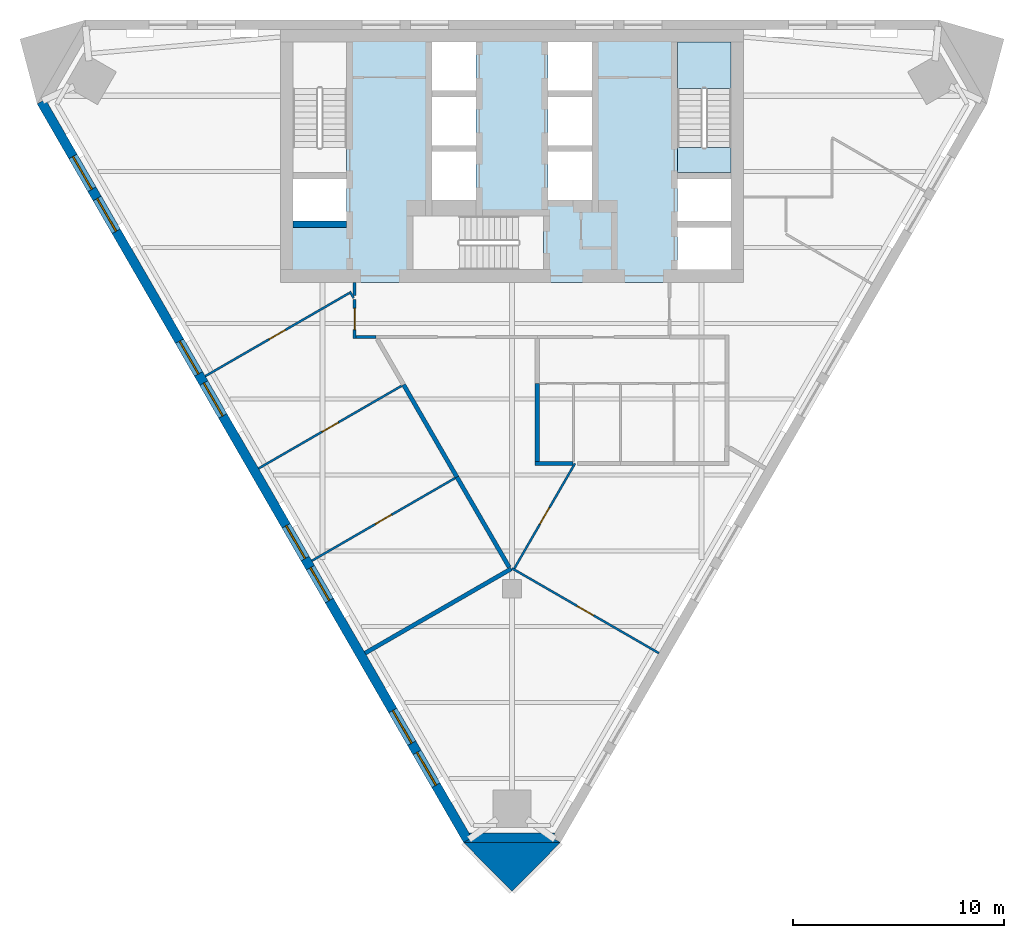
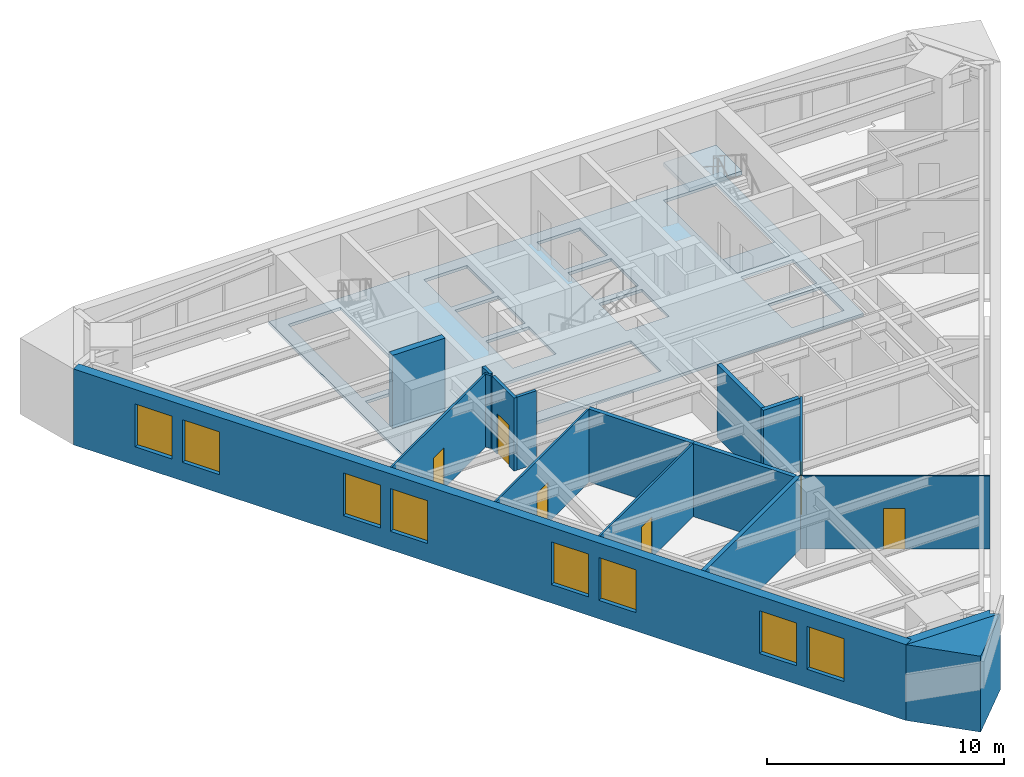
# One storey, part 2 of 7: 18 walls, 8 windows, 6 doors, 3 slabs, 14 openings, 1 element without a shape of its own.
"""IFC4 building model written with IfcOpenShell, lengths in metres."""

import ifcopenshell
import ifcopenshell.guid

model = None  # the IFC model being written
_history = None  # IfcOwnerHistory: only IFC2X3 demands one
_inside = {}  # id of a spatial element -> (the spatial element, [elements in it])
_under = {}  # id of a project, library or spatial element -> (it, [spatial elements below it])
_declared = {}  # id of a project -> (the project, [libraries it declares])
_typed = {}  # id of a type object -> (the type object, [elements of that type])
_made_of = {}  # id of a material, layer set ... -> (it, [elements and type objects made of it])


def new_model(schema):
    """Start an empty IFC model of exactly this schema.

    Asked for "IFC4X3", IfcOpenShell would pick the latest addendum, in which some entities
    have other attributes; the version numbers below select the first issue.
    IFC2X3 requires an IfcOwnerHistory on every rooted entity: one is made here for all.
    """
    global model, _history
    if schema == "IFC4X3":
        model = ifcopenshell.file(schema_version=(4, 3, 0, 0))
    else:
        model = ifcopenshell.file(schema=schema)
    _inside.clear()
    _under.clear()
    _declared.clear()
    _typed.clear()
    _made_of.clear()
    _history = None
    if model.schema == "IFC2X3":
        org = make("IfcOrganization", Name="unknown")
        user = make(
            "IfcPersonAndOrganization",
            ThePerson=make("IfcPerson", FamilyName="unknown"),
            TheOrganization=org,
        )
        app = make(
            "IfcApplication",
            ApplicationDeveloper=org,
            Version="unknown",
            ApplicationFullName="unknown",
            ApplicationIdentifier="unknown",
        )
        _history = make(
            "IfcOwnerHistory",
            OwningUser=user,
            OwningApplication=app,
            ChangeAction="ADDED",
            CreationDate=0,
        )
    return model


def make(cls, **values):
    """One entity of the class cls with the attributes given. An attribute that is None is left unset."""
    return model.create_entity(
        cls, **{name: value for name, value in values.items() if value is not None}
    )


def rooted(cls, **values):
    """An entity with a GlobalId (a new one), such as an element, a storey or a relation."""
    return make(cls, GlobalId=ifcopenshell.guid.new(), OwnerHistory=_history, **values)


def si_unit(unit_type, name, prefix=None):
    """IfcSIUnit, for example si_unit("LENGTHUNIT", "METRE", prefix="MILLI")."""
    return make("IfcSIUnit", UnitType=unit_type, Prefix=prefix, Name=name)


def assignment(units):
    """IfcUnitAssignment: the units of a project."""
    return None if units is None else make("IfcUnitAssignment", Units=units)


def point(xyz):
    """IfcCartesianPoint."""
    return None if xyz is None else make("IfcCartesianPoint", Coordinates=xyz)


def direction(xyz):
    """IfcDirection."""
    return None if xyz is None else make("IfcDirection", DirectionRatios=xyz)


def frame(location, z_axis=None, x_axis=None):
    """IfcAxis2Placement3D, a coordinate frame: its origin and axes. An axis left out is left unset."""
    return make(
        "IfcAxis2Placement3D",
        Location=point(location),
        Axis=direction(z_axis),
        RefDirection=direction(x_axis),
    )


def frame_2d(location, x_axis=None):
    """IfcAxis2Placement2D, a coordinate frame in the plane: its origin and x axis."""
    return make(
        "IfcAxis2Placement2D", Location=point(location), RefDirection=direction(x_axis)
    )


def origin():
    """The frame at (0, 0, 0) with its axes left unset."""
    return frame((0.0, 0.0, 0.0))


def place(relative_to, where):
    """IfcLocalPlacement: puts the frame where relative to a parent placement (None: the world)."""
    return make(
        "IfcLocalPlacement", PlacementRelTo=relative_to, RelativePlacement=where
    )


def context(
    kind, dimensions, precision=None, world=None, true_north=None, identifier=None
):
    """IfcGeometricRepresentationContext, for example the 3D "Model" context."""
    return make(
        "IfcGeometricRepresentationContext",
        ContextIdentifier=identifier,
        ContextType=kind,
        CoordinateSpaceDimension=dimensions,
        Precision=precision,
        WorldCoordinateSystem=world,
        TrueNorth=true_north,
    )


def subcontext(parent, identifier, kind, view, scale=None):
    """IfcGeometricRepresentationSubContext, for example "Body" below "Model"."""
    return make(
        "IfcGeometricRepresentationSubContext",
        ContextIdentifier=identifier,
        ContextType=kind,
        ParentContext=parent,
        TargetScale=scale,
        TargetView=view,
    )


def project(units=None, contexts=None):
    """IfcProject with its units and contexts."""
    return rooted(
        "IfcProject",
        Name="project",
        RepresentationContexts=contexts,
        UnitsInContext=assignment(units),
    )


def spatial(cls, under=None, at=None, **own):
    """A site, building, storey or space (cls), placed at a placement, below another one or the project."""
    s = rooted(cls, ObjectPlacement=at, **own)
    if under is not None:
        _under.setdefault(under.id(), (under, []))[1].append(s)
    return s


def polyline(points):
    """IfcPolyline through the points."""
    return make("IfcPolyline", Points=[point(p) for p in points])


def profile(cls, at=None, kind="AREA", **sizes):
    """A parametric profile (cls). Its sizes go by their IFC names, for example OverallWidth=200.0."""
    return make(cls, ProfileType=kind, Position=at, **sizes)


def rectangle(**sizes):
    """IfcRectangleProfileDef."""
    return profile("IfcRectangleProfileDef", **sizes)


def outline(outer, holes=None, kind="AREA"):
    """IfcArbitraryClosedProfileDef: a profile drawn as a closed curve; with holes, ...WithVoids."""
    if holes is None:
        return make("IfcArbitraryClosedProfileDef", ProfileType=kind, OuterCurve=outer)
    return make(
        "IfcArbitraryProfileDefWithVoids",
        ProfileType=kind,
        OuterCurve=outer,
        InnerCurves=holes,
    )


def extrude(swept, where, along, depth):
    """IfcExtrudedAreaSolid: the profile swept, set in the frame where, extruded along a direction by depth."""
    return make(
        "IfcExtrudedAreaSolid",
        SweptArea=swept,
        Position=where,
        ExtrudedDirection=direction(along),
        Depth=depth,
    )


def shape(context_of_items, identifier, shape_type, items):
    """IfcShapeRepresentation: the items that make up one representation, for example the "Body"."""
    return make(
        "IfcShapeRepresentation",
        ContextOfItems=context_of_items,
        RepresentationIdentifier=identifier,
        RepresentationType=shape_type,
        Items=items,
    )


def material(Name=None, Category=None):
    """IfcMaterial."""
    return make("IfcMaterial", Name=Name, Category=Category)


def layer(
    of_material, thickness, ventilated=None, Name=None, Category=None, Priority=None
):
    """IfcMaterialLayer: one layer of a wall or slab, of a material (None: an air gap)."""
    return make(
        "IfcMaterialLayer",
        Material=of_material,
        LayerThickness=thickness,
        IsVentilated=ventilated,
        Name=Name,
        Category=Category,
        Priority=Priority,
    )


def layer_set(layers, Name=None):
    """IfcMaterialLayerSet."""
    return make("IfcMaterialLayerSet", MaterialLayers=layers, LayerSetName=Name)


def made_of(thing, what):
    """Note that an element or type object is made of a material, layer set ...; save() writes the relation."""
    if what is not None:
        _made_of.setdefault(what.id(), (what, []))[1].append(thing)
    return thing


def type_object(cls, material=None, **own):
    """A type object (cls), such as IfcWallType, which elements share."""
    return made_of(rooted(cls, **own), material)


def element(
    cls,
    number,
    at=None,
    inside=None,
    cuts=None,
    type_object=None,
    material=None,
    context=None,
    identifier="Body",
    shape_type=None,
    held_by="IfcProductDefinitionShape",
    body=None,
    shapes=None,
    **own,
):
    """One element of the class cls, such as IfcWall. Its Tag is "e" and its number.

    at: its placement. inside: the storey or other place that contains it. cuts: it is an
    opening in that element (IfcRelVoidsElement). A single representation is given by context,
    identifier, shape_type and body (its items); several are given by shapes. held_by: the class
    of the entity that holds the representations. save() writes the other relations.
    """
    e = rooted(cls, Tag="e%d" % number, ObjectPlacement=at, **own)
    if body is not None:
        shapes = [shape(context, identifier, shape_type, body)]
    if shapes is not None:
        e.Representation = make(held_by, Representations=shapes)
    if inside is not None:
        _inside.setdefault(inside.id(), (inside, []))[1].append(e)
    if cuts is not None:
        rooted(
            "IfcRelVoidsElement", RelatingBuildingElement=cuts, RelatedOpeningElement=e
        )
    if type_object is not None:
        _typed.setdefault(type_object.id(), (type_object, []))[1].append(e)
    return made_of(e, material)


def fill(opening, filler):
    """IfcRelFillsElement: the door or window that sits in an opening."""
    return rooted(
        "IfcRelFillsElement",
        RelatingOpeningElement=opening,
        RelatedBuildingElement=filler,
    )


def aggregate(whole, parts):
    """IfcRelAggregates: a whole, such as a stair, and the parts it consists of."""
    return rooted("IfcRelAggregates", RelatingObject=whole, RelatedObjects=parts)


def save(model, path):
    """Write the relations noted so far, then the file.

    IfcRelAggregates (storeys below a building ...), IfcRelContainedInSpatialStructure (elements
    in a storey), IfcRelDefinesByType, IfcRelAssociatesMaterial and IfcRelDeclares: one each for
    every whole, place, type object, material and project.
    """
    for whole, parts in _under.values():
        aggregate(whole, parts)
    for where, things in _inside.values():
        rooted(
            "IfcRelContainedInSpatialStructure",
            RelatedElements=things,
            RelatingStructure=where,
        )
    for kind, things in _typed.values():
        rooted("IfcRelDefinesByType", RelatedObjects=things, RelatingType=kind)
    for what, things in _made_of.values():
        rooted("IfcRelAssociatesMaterial", RelatedObjects=things, RelatingMaterial=what)
    for by, libraries in _declared.values():
        rooted("IfcRelDeclares", RelatingContext=by, RelatedDefinitions=libraries)
    model.write(path)


model = new_model("IFC4")

# Units and contexts
model_context = context("Model", 3, precision=1e-05, world=origin(), true_north=direction((0.0, 1.0)))
body_context = subcontext(model_context, "Body", "Model", "MODEL_VIEW")
ifc_project = project(units=[si_unit("LENGTHUNIT", "METRE"), si_unit("AREAUNIT", "SQUARE_METRE"), si_unit("VOLUMEUNIT", "CUBIC_METRE"), si_unit("PLANEANGLEUNIT", "RADIAN"), si_unit("MASSUNIT", "GRAM", prefix="KILO")], contexts=[model_context])

# Site, building, storey
site_placement = place(None, origin())
site = spatial("IfcSite", under=ifc_project, at=site_placement, CompositionType="ELEMENT")
building_placement = place(site_placement, origin())
building = spatial("IfcBuilding", under=site, at=building_placement, Name="Aloe Facet Convention Tower", CompositionType="ELEMENT")
storey_placement = place(building_placement, frame((0.0, 0.0, 155.89990234375)))
storey = spatial("IfcBuildingStorey", under=building, at=storey_placement, Name="L39", CompositionType="ELEMENT", Elevation=155.89990234375)

# Slabs
ifc_material_1 = material(Name="Concrete C60/75", Category="concrete")
ifc_layer_1 = layer(ifc_material_1, 0.14990234375)
ifc_layer_set_1 = layer_set([ifc_layer_1], Name="CR-S-FLOOR150-C6075")
slab_type_1 = type_object("IfcSlabType", Name="CR-S-FLOOR150-C6075", PredefinedType="FLOOR", material=ifc_layer_set_1)
slab_1_placement = place(storey_placement, frame((0.0, 0.0, -0.14990234375)))
element("IfcSlab", 1, at=slab_1_placement, inside=storey, type_object=slab_type_1, Name="Core floor L39", PredefinedType="FLOOR", context=body_context, shape_type="SweptSolid", body=[
    extrude(outline(polyline([(71.85009765625, 134.550048828125), (72.75, 134.550048828125), (75.60009765625, 134.550048828125), (76.5, 134.550048828125), (78.0, 134.550048828125), (78.89990234375, 134.550048828125), (81.10009765625, 134.550048828125), (82.0, 134.550048828125), (83.5, 134.550048828125), (84.39990234375, 134.550048828125), (87.25, 134.550048828125), (88.14990234375, 134.550048828125), (91.0, 134.550048828125), (91.0, 128.050048828125), (91.0, 127.14990234375), (91.0, 125.75), (91.0, 124.85009765625), (91.0, 122.550048828125), (88.14990234375, 122.550048828125), (87.25, 122.550048828125), (85.300048828125, 122.550048828125), (84.39990234375, 122.550048828125), (82.10009765625, 122.550048828125), (81.199951171875, 122.550048828125), (75.60009765625, 122.550048828125), (74.699951171875, 122.550048828125), (72.75, 122.550048828125), (71.85009765625, 122.550048828125), (69.0, 122.550048828125), (69.0, 124.85009765625), (69.0, 125.75), (69.0, 127.14990234375), (69.0, 128.050048828125), (69.0, 134.550048828125), (71.85009765625, 134.550048828125)]), holes=[polyline([(80.298828125, 123.14990234375), (81.5, 123.14990234375), (81.5, 125.699951171875), (80.298828125, 125.699951171875), (75.300048828125, 125.699951171875), (75.300048828125, 123.14990234375), (80.298828125, 123.14990234375)]), polyline([(69.60009765625, 125.449951171875), (72.14990234375, 125.449951171875), (72.14990234375, 127.449951171875), (69.60009765625, 127.449951171875), (69.60009765625, 125.449951171875)]), polyline([(76.199951171875, 126.449951171875), (78.300048828125, 126.449951171875), (78.300048828125, 128.75), (76.199951171875, 128.75), (76.199951171875, 126.449951171875)]), polyline([(78.300048828125, 129.050048828125), (78.300048828125, 131.35009765625), (76.199951171875, 131.35009765625), (76.199951171875, 129.050048828125), (78.300048828125, 129.050048828125)]), polyline([(69.60009765625, 133.949951171875), (69.60009765625, 128.951171875), (69.60009765625, 127.75), (72.14990234375, 127.75), (72.14990234375, 128.951171875), (72.14990234375, 133.949951171875), (69.60009765625, 133.949951171875)]), polyline([(76.199951171875, 131.64990234375), (78.300048828125, 131.64990234375), (78.300048828125, 133.949951171875), (76.199951171875, 133.949951171875), (76.199951171875, 131.64990234375)]), polyline([(90.39990234375, 123.14990234375), (90.39990234375, 125.14990234375), (87.85009765625, 125.14990234375), (87.85009765625, 123.14990234375), (90.39990234375, 123.14990234375)]), polyline([(87.85009765625, 125.449951171875), (90.39990234375, 125.449951171875), (90.39990234375, 127.449951171875), (87.85009765625, 127.449951171875), (87.85009765625, 125.449951171875)]), polyline([(81.699951171875, 126.449951171875), (83.800048828125, 126.449951171875), (83.800048828125, 128.75), (81.699951171875, 128.75), (81.699951171875, 126.449951171875)]), polyline([(83.800048828125, 129.050048828125), (83.800048828125, 131.35009765625), (81.699951171875, 131.35009765625), (81.699951171875, 129.050048828125), (83.800048828125, 129.050048828125)]), polyline([(87.85009765625, 133.949951171875), (87.85009765625, 128.951171875), (87.85009765625, 127.75), (90.39990234375, 127.75), (90.39990234375, 128.951171875), (90.39990234375, 133.949951171875), (87.85009765625, 133.949951171875)]), polyline([(81.699951171875, 131.64990234375), (83.800048828125, 131.64990234375), (83.800048828125, 133.949951171875), (81.699951171875, 133.949951171875), (81.699951171875, 131.64990234375)])]), origin(), (0.0, 0.0, 1.0), 0.14990234375),
])
ifc_material_2 = material(Name="Concrete C60/75", Category="concrete")
ifc_layer_2 = layer(ifc_material_2, 0.300048828125)
ifc_layer_set_2 = layer_set([ifc_layer_2], Name="CR-S-FLOOR300-C6075")
slab_type_2 = type_object("IfcSlabType", Name="CR-S-FLOOR300-C6075", PredefinedType="FLOOR", material=ifc_layer_set_2)
slab_2_placement = place(storey_placement, frame((0.0, 0.0, -0.2998046875)))
element("IfcSlab", 2, at=slab_2_placement, inside=storey, type_object=slab_type_2, Name="Stair landing floor L39", PredefinedType="FLOOR", context=body_context, shape_type="SweptSolid", body=[
    extrude(outline(polyline([(90.39990234375, 127.75), (90.39990234375, 128.951171875), (87.85009765625, 128.951171875), (87.85009765625, 127.75), (90.39990234375, 127.75)])), origin(), (0.0, 0.0, 1.0), 0.2998046875),
])

# Stair, slab
ifc_material_3 = material(Name="Concrete C50/60", Category="concrete")
stair_type = type_object("IfcStairType", Name="CR-ST-22R", PredefinedType="HALF_TURN_STAIR", material=ifc_material_3)
stair_placement = place(storey_placement, origin())
stair = element("IfcStair", 3, at=stair_placement, inside=storey, type_object=stair_type, Name="L39 Protected exit stair ST2", PredefinedType="HALF_TURN_STAIR")
ifc_material_4 = material(Name="Concrete C50/60", Category="concrete")
ifc_layer_3 = layer(ifc_material_4, 0.199951171875)
ifc_layer_set_3 = layer_set([ifc_layer_3], Name="CR-SL-LANDING")
slab_type_3 = type_object("IfcSlabType", Name="CR-SL-LANDING", PredefinedType="LANDING", material=ifc_layer_set_3)
slab_3_placement = place(storey_placement, frame((0.0, 0.0, 1.75)))
slab_3 = element("IfcSlab", 4, at=slab_3_placement, type_object=slab_type_3, Name="ST2 landing 1", PredefinedType="LANDING", context=body_context, shape_type="SweptSolid", body=[
    extrude(outline(polyline([(90.39990234375, 131.75), (90.39990234375, 133.949951171875), (87.85009765625, 133.949951171875), (87.85009765625, 131.75), (90.39990234375, 131.75)])), origin(), (0.0, 0.0, 1.0), 0.2001953125),
])
aggregate(stair, [slab_3])

# Walls
ifc_material_5 = material(Name="Concrete C60/75", Category="concrete")
ifc_layer_4 = layer(ifc_material_5, 0.300048828125)
ifc_layer_set_4 = layer_set([ifc_layer_4], Name="CR-W-RC300-C6075")
wall_type_1 = type_object("IfcWallType", Name="CR-W-RC300-C6075", PredefinedType="SOLIDWALL", material=ifc_layer_set_4)
wall_1_placement = place(storey_placement, frame((69.60009765625, 125.300048828125, 0.0), z_axis=(0.0, 0.0, 1.0), x_axis=(1.0, 0.0, 0.0)))
element("IfcWall", 5, at=wall_1_placement, inside=storey, type_object=wall_type_1, Name="Core wall L39-005", PredefinedType="SOLIDWALL", context=body_context, shape_type="SweptSolid", body=[
    extrude(rectangle(XDim=2.5498046875, YDim=0.300048828125, at=frame_2d((1.27490234375, 0.0))), origin(), (0.0, 0.0, 1.0), 3.75),
])
ifc_material_6 = material(Name="Precast concrete C40/50", Category="concrete")
ifc_layer_5 = layer(ifc_material_6, 0.449951171875)
ifc_layer_set_5 = layer_set([ifc_layer_5], Name="EV-WALL-PIER")
wall_type_2 = type_object("IfcWallType", Name="EV-WALL-PIER", PredefinedType="SOLIDWALL", material=ifc_layer_set_5)
wall_2_placement = place(storey_placement, frame((0.0, 0.0, -0.14990234375)))
element("IfcWall", 6, at=wall_2_placement, inside=storey, type_object=wall_type_2, Name="EP-L39-B", PredefinedType="SOLIDWALL", context=body_context, shape_type="SweptSolid", body=[
    extrude(outline(polyline([(77.699951171875, 95.954345703125), (78.089599609375, 96.17919921875), (77.959716796875, 96.404296875), (82.040283203125, 96.404296875), (81.910400390625, 96.17919921875), (82.300048828125, 95.954345703125), (77.699951171875, 95.954345703125)])), origin(), (0.0, 0.0, 1.0), 3.89990234375),
])
ifc_material_7 = material(Name="Precast concrete C40/50", Category="concrete")
ifc_layer_6 = layer(ifc_material_7, 3.947998046875)
ifc_layer_set_6 = layer_set([ifc_layer_6], Name="EV-WALL-SPINE")
wall_type_3 = type_object("IfcWallType", Name="EV-WALL-SPINE", PredefinedType="SOLIDWALL", material=ifc_layer_set_6)
wall_3_placement = place(storey_placement, frame((0.0, 0.0, -0.14990234375)))
element("IfcWall", 7, at=wall_3_placement, inside=storey, type_object=wall_type_3, Name="SP-S-L39", PredefinedType="SOLIDWALL", context=body_context, shape_type="SweptSolid", body=[
    extrude(outline(polyline([(77.699951171875, 95.954345703125), (80.0, 93.641357421875), (82.300048828125, 95.954345703125), (77.699951171875, 95.954345703125)])), origin(), (0.0, 0.0, 1.0), 3.89990234375),
])

# Wall, openings, windows
ifc_material_8 = material(Name="Precast concrete C40/50", Category="concrete")
ifc_layer_7 = layer(ifc_material_8, 0.449951171875)
ifc_layer_set_7 = layer_set([ifc_layer_7], Name="EV-WALL-STONE")
wall_type_4 = type_object("IfcWallType", Name="EV-WALL-STONE", PredefinedType="SOLIDWALL", material=ifc_layer_set_7)
wall_4_placement = place(storey_placement, frame((57.65185546875, 131.128662109375, -0.14990234375), z_axis=(0.0, 0.0, 1.0), x_axis=(0.499997369791, -0.866026922331, 0.0)))
wall_4 = element("IfcWall", 8, at=wall_4_placement, inside=storey, type_object=wall_type_4, Name="EW-L39-W01", PredefinedType="SOLIDWALL", context=body_context, shape_type="SweptSolid", body=[
    extrude(outline(polyline([(40.486083984375, 0.0), (40.486083984375, 3.89990234375), (0.0, 3.89990234375), (0.0, 0.0), (40.486083984375, 0.0)])), frame((0.0, 0.22509765625, 0.0), z_axis=(0.0, -1.0, 0.0), x_axis=(1.0, 0.0, 0.0)), (0.0, 0.0, 1.0), 0.449951171875),
])
opening_1_placement = place(wall_4_placement, frame((3.0107421875, 0.0, 0.949951171875)))
opening_1 = element("IfcOpeningElement", 9, at=opening_1_placement, cuts=wall_4, Name="Opening W-L39-W01", PredefinedType="OPENING", context=body_context, shape_type="SweptSolid", body=[
    extrude(rectangle(XDim=1.800048828125, YDim=2.199951171875, at=frame_2d((0.89990234375, 1.10009765625))), frame((0.0, 0.23486328125, 0.0), z_axis=(0.0, -1.0, 0.0), x_axis=(1.0, 0.0, 0.0)), (0.0, 0.0, 1.0), 0.469970703125),
])
opening_2_placement = place(wall_4_placement, frame((5.310791015625, 0.0, 0.949951171875)))
opening_2 = element("IfcOpeningElement", 10, at=opening_2_placement, cuts=wall_4, Name="Opening W-L39-W02", PredefinedType="OPENING", context=body_context, shape_type="SweptSolid", body=[
    extrude(rectangle(XDim=1.800048828125, YDim=2.199951171875, at=frame_2d((0.89990234375, 1.10009765625))), frame((0.0, 0.23486328125, 0.0), z_axis=(0.0, -1.0, 0.0), x_axis=(1.0, 0.0, 0.0)), (0.0, 0.0, 1.0), 0.469970703125),
])
opening_3_placement = place(wall_4_placement, frame((13.13232421875, 0.0, 0.949951171875)))
opening_3 = element("IfcOpeningElement", 11, at=opening_3_placement, cuts=wall_4, Name="Opening W-L39-W03", PredefinedType="OPENING", context=body_context, shape_type="SweptSolid", body=[
    extrude(rectangle(XDim=1.800048828125, YDim=2.199951171875, at=frame_2d((0.89990234375, 1.10009765625))), frame((0.0, 0.23486328125, 0.0), z_axis=(0.0, -1.0, 0.0), x_axis=(1.0, 0.0, 0.0)), (0.0, 0.0, 1.0), 0.469970703125),
])
opening_4_placement = place(wall_4_placement, frame((15.432373046875, 0.0, 0.949951171875)))
opening_4 = element("IfcOpeningElement", 12, at=opening_4_placement, cuts=wall_4, Name="Opening W-L39-W04", PredefinedType="OPENING", context=body_context, shape_type="SweptSolid", body=[
    extrude(rectangle(XDim=1.800048828125, YDim=2.199951171875, at=frame_2d((0.89990234375, 1.10009765625))), frame((0.0, 0.23486328125, 0.0), z_axis=(0.0, -1.0, 0.0), x_axis=(1.0, 0.0, 0.0)), (0.0, 0.0, 1.0), 0.469970703125),
])
opening_5_placement = place(wall_4_placement, frame((23.25390625, 0.0, 0.949951171875)))
opening_5 = element("IfcOpeningElement", 13, at=opening_5_placement, cuts=wall_4, Name="Opening W-L39-W05", PredefinedType="OPENING", context=body_context, shape_type="SweptSolid", body=[
    extrude(rectangle(XDim=1.800048828125, YDim=2.199951171875, at=frame_2d((0.89990234375, 1.10009765625))), frame((0.0, 0.23486328125, 0.0), z_axis=(0.0, -1.0, 0.0), x_axis=(1.0, 0.0, 0.0)), (0.0, 0.0, 1.0), 0.469970703125),
])
opening_6_placement = place(wall_4_placement, frame((25.553955078125, 0.0, 0.949951171875)))
opening_6 = element("IfcOpeningElement", 14, at=opening_6_placement, cuts=wall_4, Name="Opening W-L39-W06", PredefinedType="OPENING", context=body_context, shape_type="SweptSolid", body=[
    extrude(rectangle(XDim=1.800048828125, YDim=2.199951171875, at=frame_2d((0.89990234375, 1.10009765625))), frame((0.0, 0.23486328125, 0.0), z_axis=(0.0, -1.0, 0.0), x_axis=(1.0, 0.0, 0.0)), (0.0, 0.0, 1.0), 0.469970703125),
])
opening_7_placement = place(wall_4_placement, frame((33.37548828125, 0.0, 0.949951171875)))
opening_7 = element("IfcOpeningElement", 15, at=opening_7_placement, cuts=wall_4, Name="Opening W-L39-W07", PredefinedType="OPENING", context=body_context, shape_type="SweptSolid", body=[
    extrude(rectangle(XDim=1.800048828125, YDim=2.199951171875, at=frame_2d((0.89990234375, 1.10009765625))), frame((0.0, 0.23486328125, 0.0), z_axis=(0.0, -1.0, 0.0), x_axis=(1.0, 0.0, 0.0)), (0.0, 0.0, 1.0), 0.469970703125),
])
opening_8_placement = place(wall_4_placement, frame((35.67529296875, 0.0, 0.949951171875)))
opening_8 = element("IfcOpeningElement", 16, at=opening_8_placement, cuts=wall_4, Name="Opening W-L39-W08", PredefinedType="OPENING", context=body_context, shape_type="SweptSolid", body=[
    extrude(rectangle(XDim=1.800048828125, YDim=2.199951171875, at=frame_2d((0.89990234375, 1.10009765625))), frame((0.0, 0.23486328125, 0.0), z_axis=(0.0, -1.0, 0.0), x_axis=(1.0, 0.0, 0.0)), (0.0, 0.0, 1.0), 0.469970703125),
])
ifc_material_9 = material(Name="Aluminium frame, clear double glazing", Category="aluminium")
window_type = type_object("IfcWindowType", Name="EV-WIN-O18", PartitioningType="SINGLE_PANEL", PredefinedType="WINDOW", material=ifc_material_9)
window_1_placement = place(opening_1_placement, origin())
window_1 = element("IfcWindow", 17, at=window_1_placement, inside=storey, type_object=window_type, Name="W-L39-W01", OverallHeight=2.199951171875, OverallWidth=1.800048828125, PartitioningType="SINGLE_PANEL", PredefinedType="WINDOW", context=body_context, shape_type="SweptSolid", body=[
    extrude(rectangle(XDim=1.800048828125, YDim=2.199951171875, at=frame_2d((0.89990234375, 1.10009765625))), frame((0.0, 0.030029296875, 0.0), z_axis=(0.0, -1.0, 0.0), x_axis=(1.0, 0.0, 0.0)), (0.0, 0.0, 1.0), 0.06005859375),
])
fill(opening_1, window_1)
window_2_placement = place(opening_2_placement, origin())
window_2 = element("IfcWindow", 18, at=window_2_placement, inside=storey, type_object=window_type, Name="W-L39-W02", OverallHeight=2.199951171875, OverallWidth=1.800048828125, PartitioningType="SINGLE_PANEL", PredefinedType="WINDOW", context=body_context, shape_type="SweptSolid", body=[
    extrude(rectangle(XDim=1.800048828125, YDim=2.199951171875, at=frame_2d((0.89990234375, 1.10009765625))), frame((0.0, 0.030029296875, 0.0), z_axis=(0.0, -1.0, 0.0), x_axis=(1.0, 0.0, 0.0)), (0.0, 0.0, 1.0), 0.06005859375),
])
fill(opening_2, window_2)
window_3_placement = place(opening_3_placement, origin())
window_3 = element("IfcWindow", 19, at=window_3_placement, inside=storey, type_object=window_type, Name="W-L39-W03", OverallHeight=2.199951171875, OverallWidth=1.800048828125, PartitioningType="SINGLE_PANEL", PredefinedType="WINDOW", context=body_context, shape_type="SweptSolid", body=[
    extrude(rectangle(XDim=1.800048828125, YDim=2.199951171875, at=frame_2d((0.89990234375, 1.10009765625))), frame((0.0, 0.030029296875, 0.0), z_axis=(0.0, -1.0, 0.0), x_axis=(1.0, 0.0, 0.0)), (0.0, 0.0, 1.0), 0.06005859375),
])
fill(opening_3, window_3)
window_4_placement = place(opening_4_placement, origin())
window_4 = element("IfcWindow", 20, at=window_4_placement, inside=storey, type_object=window_type, Name="W-L39-W04", OverallHeight=2.199951171875, OverallWidth=1.800048828125, PartitioningType="SINGLE_PANEL", PredefinedType="WINDOW", context=body_context, shape_type="SweptSolid", body=[
    extrude(rectangle(XDim=1.800048828125, YDim=2.199951171875, at=frame_2d((0.89990234375, 1.10009765625))), frame((0.0, 0.030029296875, 0.0), z_axis=(0.0, -1.0, 0.0), x_axis=(1.0, 0.0, 0.0)), (0.0, 0.0, 1.0), 0.06005859375),
])
fill(opening_4, window_4)
window_5_placement = place(opening_5_placement, origin())
window_5 = element("IfcWindow", 21, at=window_5_placement, inside=storey, type_object=window_type, Name="W-L39-W05", OverallHeight=2.199951171875, OverallWidth=1.800048828125, PartitioningType="SINGLE_PANEL", PredefinedType="WINDOW", context=body_context, shape_type="SweptSolid", body=[
    extrude(rectangle(XDim=1.800048828125, YDim=2.199951171875, at=frame_2d((0.89990234375, 1.10009765625))), frame((0.0, 0.030029296875, 0.0), z_axis=(0.0, -1.0, 0.0), x_axis=(1.0, 0.0, 0.0)), (0.0, 0.0, 1.0), 0.06005859375),
])
fill(opening_5, window_5)
window_6_placement = place(opening_6_placement, origin())
window_6 = element("IfcWindow", 22, at=window_6_placement, inside=storey, type_object=window_type, Name="W-L39-W06", OverallHeight=2.199951171875, OverallWidth=1.800048828125, PartitioningType="SINGLE_PANEL", PredefinedType="WINDOW", context=body_context, shape_type="SweptSolid", body=[
    extrude(rectangle(XDim=1.800048828125, YDim=2.199951171875, at=frame_2d((0.89990234375, 1.10009765625))), frame((0.0, 0.030029296875, 0.0), z_axis=(0.0, -1.0, 0.0), x_axis=(1.0, 0.0, 0.0)), (0.0, 0.0, 1.0), 0.06005859375),
])
fill(opening_6, window_6)
window_7_placement = place(opening_7_placement, origin())
window_7 = element("IfcWindow", 23, at=window_7_placement, inside=storey, type_object=window_type, Name="W-L39-W07", OverallHeight=2.199951171875, OverallWidth=1.800048828125, PartitioningType="SINGLE_PANEL", PredefinedType="WINDOW", context=body_context, shape_type="SweptSolid", body=[
    extrude(rectangle(XDim=1.800048828125, YDim=2.199951171875, at=frame_2d((0.89990234375, 1.10009765625))), frame((0.0, 0.030029296875, 0.0), z_axis=(0.0, -1.0, 0.0), x_axis=(1.0, 0.0, 0.0)), (0.0, 0.0, 1.0), 0.06005859375),
])
fill(opening_7, window_7)
window_8_placement = place(opening_8_placement, origin())
window_8 = element("IfcWindow", 24, at=window_8_placement, inside=storey, type_object=window_type, Name="W-L39-W08", OverallHeight=2.199951171875, OverallWidth=1.800048828125, PartitioningType="SINGLE_PANEL", PredefinedType="WINDOW", context=body_context, shape_type="SweptSolid", body=[
    extrude(rectangle(XDim=1.800048828125, YDim=2.199951171875, at=frame_2d((0.89990234375, 1.10009765625))), frame((0.0, 0.030029296875, 0.0), z_axis=(0.0, -1.0, 0.0), x_axis=(1.0, 0.0, 0.0)), (0.0, 0.0, 1.0), 0.06005859375),
])
fill(opening_8, window_8)

# Wall, opening, door
ifc_material_10 = material(Name="Gypsum board partition on steel studs", Category="steel")
ifc_layer_8 = layer(ifc_material_10, 0.14990234375)
ifc_layer_set_8 = layer_set([ifc_layer_8], Name="IN-W-CORR")
wall_type_5 = type_object("IfcWallType", Name="IN-W-CORR", PredefinedType="PARTITIONING", material=ifc_layer_set_8)
wall_5_placement = place(storey_placement, frame((72.52490234375, 119.875, 0.0), z_axis=(0.0, 0.0, 1.0), x_axis=(0.0, 1.0, 0.0)))
wall_5 = element("IfcWall", 25, at=wall_5_placement, inside=storey, type_object=wall_type_5, Name="Partition L39-W030", PredefinedType="PARTITIONING", context=body_context, shape_type="SweptSolid", body=[
    extrude(rectangle(XDim=1.862548828125, YDim=0.14990234375, at=frame_2d((0.93115234375, 0.0))), origin(), (0.0, 0.0, 1.0), 3.75),
])
opening_9_placement = place(wall_5_placement, frame((0.431396484375, 0.0, 0.0)))
opening_9 = element("IfcOpeningElement", 26, at=opening_9_placement, cuts=wall_5, Name="Opening L39-006", PredefinedType="OPENING", context=body_context, shape_type="SweptSolid", body=[
    extrude(rectangle(XDim=1.0, YDim=2.10009765625, at=frame_2d((0.5, 1.050048828125))), frame((0.0, 0.0849609375, 0.0), z_axis=(0.0, -1.0, 0.0), x_axis=(1.0, 0.0, 0.0)), (0.0, 0.0, 1.0), 0.169921875),
])
ifc_material_11 = material(Name="Timber door FD30S with vision panel", Category="wood")
door_type_1 = type_object("IfcDoorType", Name="IN-OFF-D-ENTRY", OperationType="SINGLE_SWING_LEFT", PredefinedType="DOOR", material=ifc_material_11)
door_1_placement = place(opening_9_placement, origin())
door_1 = element("IfcDoor", 27, at=door_1_placement, inside=storey, type_object=door_type_1, Name="Door L39-006", OperationType="SINGLE_SWING_LEFT", OverallHeight=2.10009765625, OverallWidth=1.0, PredefinedType="DOOR", context=body_context, shape_type="SweptSolid", body=[
    extrude(rectangle(XDim=1.0, YDim=2.10009765625, at=frame_2d((0.5, 1.050048828125))), frame((0.0, 0.02490234375, 0.0), z_axis=(0.0, -1.0, 0.0), x_axis=(1.0, 0.0, 0.0)), (0.0, 0.0, 1.0), 0.050048828125),
])
fill(opening_9, door_1)

# Walls
wall_6_placement = place(storey_placement, frame((72.60009765625, 119.949951171875, 0.0), z_axis=(0.0, 0.0, 1.0), x_axis=(1.0, 0.0, 0.0)))
element("IfcWall", 28, at=wall_6_placement, inside=storey, type_object=wall_type_5, Name="Partition L39-W032", PredefinedType="PARTITIONING", context=body_context, shape_type="SweptSolid", body=[
    extrude(rectangle(XDim=0.9453125, YDim=0.14990234375, at=frame_2d((0.47265625, 0.0))), origin(), (0.0, 0.0, 1.0), 3.75),
])
wall_7_placement = place(storey_placement, frame((72.52490234375, 121.927490234375, 0.0), z_axis=(0.0, 0.0, 1.0), x_axis=(0.0, 1.0, 0.0)))
element("IfcWall", 29, at=wall_7_placement, inside=storey, type_object=wall_type_5, Name="Partition L39-W039", PredefinedType="PARTITIONING", context=body_context, shape_type="SweptSolid", body=[
    extrude(rectangle(XDim=0.622314453125, YDim=0.14990234375, at=frame_2d((0.31103515625, 0.0))), origin(), (0.0, 0.0, 1.0), 3.75),
])

# Wall, opening, door
ifc_material_12 = material(Name="Gypsum board partition on steel studs", Category="steel")
ifc_layer_9 = layer(ifc_material_12, 0.10009765625)
ifc_layer_set_9 = layer_set([ifc_layer_9], Name="IN-W-PART")
wall_type_6 = type_object("IfcWallType", Name="IN-W-PART", PredefinedType="PARTITIONING", material=ifc_layer_set_9)
wall_8_placement = place(storey_placement, frame((80.0, 108.969482421875, 0.0), z_axis=(0.0, 0.0, 1.0), x_axis=(0.86602648383, -0.499998129301, 0.0)))
wall_8 = element("IfcWall", 30, at=wall_8_placement, inside=storey, type_object=wall_type_6, Name="Partition L39-W007", PredefinedType="PARTITIONING", context=body_context, shape_type="SweptSolid", body=[
    extrude(rectangle(XDim=8.04931640625, YDim=0.10009765625, at=frame_2d((4.024658203125, 0.0))), origin(), (0.0, 0.0, 1.0), 3.75),
])
opening_10_placement = place(wall_8_placement, frame((3.57470703125, 0.0, 0.0)))
opening_10 = element("IfcOpeningElement", 31, at=opening_10_placement, cuts=wall_8, Name="Opening L39-015", PredefinedType="OPENING", context=body_context, shape_type="SweptSolid", body=[
    extrude(rectangle(XDim=0.89990234375, YDim=2.10009765625, at=frame_2d((0.449951171875, 1.050048828125))), frame((0.0, 0.06005859375, 0.0), z_axis=(0.0, -1.0, 0.0), x_axis=(1.0, 0.0, 0.0)), (0.0, 0.0, 1.0), 0.1201171875),
])
ifc_material_13 = material(Name="Timber door", Category="wood")
door_type_2 = type_object("IfcDoorType", Name="IN-OFF-D-ROOM", OperationType="SINGLE_SWING_LEFT", PredefinedType="DOOR", material=ifc_material_13)
door_2_placement = place(opening_10_placement, origin())
door_2 = element("IfcDoor", 32, at=door_2_placement, inside=storey, type_object=door_type_2, Name="Door L39-015", OperationType="SINGLE_SWING_LEFT", OverallHeight=2.10009765625, OverallWidth=0.89990234375, PredefinedType="DOOR", context=body_context, shape_type="SweptSolid", body=[
    extrude(rectangle(XDim=0.89990234375, YDim=2.10009765625, at=frame_2d((0.449951171875, 1.050048828125))), frame((0.0, 0.02490234375, 0.0), z_axis=(0.0, -1.0, 0.0), x_axis=(1.0, 0.0, 0.0)), (0.0, 0.0, 1.0), 0.050048828125),
])
fill(opening_10, door_2)

wall_9_placement = place(storey_placement, frame((70.49853515625, 109.327392578125, 0.0), z_axis=(0.0, 0.0, 1.0), x_axis=(0.86602399778, 0.500002435262, 0.0)))
wall_9 = element("IfcWall", 33, at=wall_9_placement, inside=storey, type_object=wall_type_6, Name="Partition L39-W008", PredefinedType="PARTITIONING", context=body_context, shape_type="SweptSolid", body=[
    extrude(rectangle(XDim=7.85009765625, YDim=0.10009765625, at=frame_2d((3.925048828125, 0.0))), origin(), (0.0, 0.0, 1.0), 3.75),
])
opening_11_placement = place(wall_9_placement, frame((3.47509765625, 0.0, 0.0)))
opening_11 = element("IfcOpeningElement", 34, at=opening_11_placement, cuts=wall_9, Name="Opening L39-008", PredefinedType="OPENING", context=body_context, shape_type="SweptSolid", body=[
    extrude(rectangle(XDim=0.89990234375, YDim=2.10009765625, at=frame_2d((0.449951171875, 1.050048828125))), frame((0.0, 0.06005859375, 0.0), z_axis=(0.0, -1.0, 0.0), x_axis=(1.0, 0.0, 0.0)), (0.0, 0.0, 1.0), 0.1201171875),
])
door_3_placement = place(opening_11_placement, origin())
door_3 = element("IfcDoor", 35, at=door_3_placement, inside=storey, type_object=door_type_2, Name="Door L39-008", OperationType="SINGLE_SWING_LEFT", OverallHeight=2.10009765625, OverallWidth=0.89990234375, PredefinedType="DOOR", context=body_context, shape_type="SweptSolid", body=[
    extrude(rectangle(XDim=0.89990234375, YDim=2.10009765625, at=frame_2d((0.449951171875, 1.050048828125))), frame((0.0, 0.02490234375, 0.0), z_axis=(0.0, -1.0, 0.0), x_axis=(1.0, 0.0, 0.0)), (0.0, 0.0, 1.0), 0.050048828125),
])
fill(opening_11, door_3)

wall_10_placement = place(storey_placement, frame((67.96826171875, 113.710205078125, 0.0), z_axis=(0.0, 0.0, 1.0), x_axis=(0.866013415921, 0.500020763015, 0.0)))
wall_10 = element("IfcWall", 36, at=wall_10_placement, inside=storey, type_object=wall_type_6, Name="Partition L39-W010", PredefinedType="PARTITIONING", context=body_context, shape_type="SweptSolid", body=[
    extrude(rectangle(XDim=7.840087890625, YDim=0.10009765625, at=frame_2d((3.919921875, 0.0))), origin(), (0.0, 0.0, 1.0), 3.75),
])
opening_12_placement = place(wall_10_placement, frame((3.469970703125, 0.0, 0.0)))
opening_12 = element("IfcOpeningElement", 37, at=opening_12_placement, cuts=wall_10, Name="Opening L39-007", PredefinedType="OPENING", context=body_context, shape_type="SweptSolid", body=[
    extrude(rectangle(XDim=0.89990234375, YDim=2.10009765625, at=frame_2d((0.449951171875, 1.050048828125))), frame((0.0, 0.06005859375, 0.0), z_axis=(0.0, -1.0, 0.0), x_axis=(1.0, 0.0, 0.0)), (0.0, 0.0, 1.0), 0.1201171875),
])
door_4_placement = place(opening_12_placement, origin())
door_4 = element("IfcDoor", 38, at=door_4_placement, inside=storey, type_object=door_type_2, Name="Door L39-007", OperationType="SINGLE_SWING_LEFT", OverallHeight=2.10009765625, OverallWidth=0.89990234375, PredefinedType="DOOR", context=body_context, shape_type="SweptSolid", body=[
    extrude(rectangle(XDim=0.89990234375, YDim=2.10009765625, at=frame_2d((0.449951171875, 1.050048828125))), frame((0.0, 0.02490234375, 0.0), z_axis=(0.0, -1.0, 0.0), x_axis=(1.0, 0.0, 0.0)), (0.0, 0.0, 1.0), 0.050048828125),
])
fill(opening_12, door_4)

wall_11_placement = place(storey_placement, frame((80.111083984375, 108.963134765625, 0.0), z_axis=(0.0, 0.0, 1.0), x_axis=(0.500033177651, 0.866006247812, 0.0)))
wall_11 = element("IfcWall", 39, at=wall_11_placement, inside=storey, type_object=wall_type_6, Name="Partition L39-W014", PredefinedType="PARTITIONING", context=body_context, shape_type="SweptSolid", body=[
    extrude(rectangle(XDim=5.75830078125, YDim=0.10009765625, at=frame_2d((2.879150390625, 0.0))), origin(), (0.0, 0.0, 1.0), 3.75),
])
opening_13_placement = place(wall_11_placement, frame((2.42919921875, 0.0, 0.0)))
opening_13 = element("IfcOpeningElement", 40, at=opening_13_placement, cuts=wall_11, Name="Opening L39-009", PredefinedType="OPENING", context=body_context, shape_type="SweptSolid", body=[
    extrude(rectangle(XDim=0.89990234375, YDim=2.10009765625, at=frame_2d((0.449951171875, 1.050048828125))), frame((0.0, 0.06005859375, 0.0), z_axis=(0.0, -1.0, 0.0), x_axis=(1.0, 0.0, 0.0)), (0.0, 0.0, 1.0), 0.1201171875),
])
door_5_placement = place(opening_13_placement, origin())
door_5 = element("IfcDoor", 41, at=door_5_placement, inside=storey, type_object=door_type_2, Name="Door L39-009", OperationType="SINGLE_SWING_LEFT", OverallHeight=2.10009765625, OverallWidth=0.89990234375, PredefinedType="DOOR", context=body_context, shape_type="SweptSolid", body=[
    extrude(rectangle(XDim=0.89990234375, YDim=2.10009765625, at=frame_2d((0.449951171875, 1.050048828125))), frame((0.0, 0.02490234375, 0.0), z_axis=(0.0, -1.0, 0.0), x_axis=(1.0, 0.0, 0.0)), (0.0, 0.0, 1.0), 0.050048828125),
])
fill(opening_13, door_5)

# Wall
wall_12_placement = place(storey_placement, frame((72.297607421875, 122.10888671875, 0.0), z_axis=(0.0, 0.0, 1.0), x_axis=(0.522244349168, -0.852795895723, 0.0)))
element("IfcWall", 42, at=wall_12_placement, inside=storey, type_object=wall_type_6, Name="Partition L39-W036", PredefinedType="PARTITIONING", context=body_context, shape_type="SweptSolid", body=[
    extrude(rectangle(XDim=0.3603515625, YDim=0.10009765625, at=frame_2d((0.18017578125, 0.0))), origin(), (0.0, 0.0, 1.0), 3.75),
])

# Wall, opening, door
wall_13_placement = place(storey_placement, frame((65.439453125, 118.093994140625, 0.0), z_axis=(0.0, 0.0, 1.0), x_axis=(0.866161367057, 0.499764430726, 0.0)))
wall_13 = element("IfcWall", 43, at=wall_13_placement, inside=storey, type_object=wall_type_6, Name="Partition L39-W037", PredefinedType="PARTITIONING", context=body_context, shape_type="SweptSolid", body=[
    extrude(rectangle(XDim=7.887939453125, YDim=0.10009765625, at=frame_2d((3.94384765625, 0.0))), origin(), (0.0, 0.0, 1.0), 3.75),
])
opening_14_placement = place(wall_13_placement, frame((3.493896484375, 0.0, 0.0)))
opening_14 = element("IfcOpeningElement", 44, at=opening_14_placement, cuts=wall_13, Name="Opening L39-013", PredefinedType="OPENING", context=body_context, shape_type="SweptSolid", body=[
    extrude(rectangle(XDim=0.89990234375, YDim=2.10009765625, at=frame_2d((0.449951171875, 1.050048828125))), frame((0.0, 0.06005859375, 0.0), z_axis=(0.0, -1.0, 0.0), x_axis=(1.0, 0.0, 0.0)), (0.0, 0.0, 1.0), 0.1201171875),
])
door_6_placement = place(opening_14_placement, origin())
door_6 = element("IfcDoor", 45, at=door_6_placement, inside=storey, type_object=door_type_2, Name="Door L39-013", OperationType="SINGLE_SWING_LEFT", OverallHeight=2.10009765625, OverallWidth=0.89990234375, PredefinedType="DOOR", context=body_context, shape_type="SweptSolid", body=[
    extrude(rectangle(XDim=0.89990234375, YDim=2.10009765625, at=frame_2d((0.449951171875, 1.050048828125))), frame((0.0, 0.02490234375, 0.0), z_axis=(0.0, -1.0, 0.0), x_axis=(1.0, 0.0, 0.0)), (0.0, 0.0, 1.0), 0.050048828125),
])
fill(opening_14, door_6)

# Walls
ifc_material_14 = material(Name="Gypsum board partition on steel studs", Category="steel")
ifc_layer_10 = layer(ifc_material_14, 0.199951171875)
ifc_layer_set_10 = layer_set([ifc_layer_10], Name="IN-W-PARTY")
wall_type_7 = type_object("IfcWallType", Name="IN-W-PARTY", PredefinedType="PARTITIONING", material=ifc_layer_set_10)
wall_14_placement = place(storey_placement, frame((73.029052734375, 104.94482421875, 0.0), z_axis=(0.0, 0.0, 1.0), x_axis=(0.866028745538, 0.499994211868, 0.0)))
element("IfcWall", 46, at=wall_14_placement, inside=storey, type_object=wall_type_7, Name="Partition L39-W001", PredefinedType="PARTITIONING", context=body_context, shape_type="SweptSolid", body=[
    extrude(rectangle(XDim=8.009765625, YDim=0.199951171875, at=frame_2d((4.0048828125, 0.0))), origin(), (0.0, 0.0, 1.0), 3.75),
])
wall_15_placement = place(storey_placement, frame((77.383544921875, 113.302490234375, 0.0), z_axis=(0.0, 0.0, 1.0), x_axis=(0.501726207978, -0.865026480651, 0.0)))
element("IfcWall", 47, at=wall_15_placement, inside=storey, type_object=wall_type_7, Name="Partition L39-W004", PredefinedType="PARTITIONING", context=body_context, shape_type="SweptSolid", body=[
    extrude(rectangle(XDim=4.95068359375, YDim=0.199951171875, at=frame_2d((2.475341796875, 0.0))), origin(), (0.0, 0.0, 1.0), 3.75),
])
wall_16_placement = place(storey_placement, frame((74.85302734375, 117.685302734375, 0.0), z_axis=(0.0, 0.0, 1.0), x_axis=(0.500014760403, -0.866016881694, 0.0)))
element("IfcWall", 48, at=wall_16_placement, inside=storey, type_object=wall_type_7, Name="Partition L39-W009", PredefinedType="PARTITIONING", context=body_context, shape_type="SweptSolid", body=[
    extrude(rectangle(XDim=5.060791015625, YDim=0.199951171875, at=frame_2d((2.5302734375, 0.0))), origin(), (0.0, 0.0, 1.0), 3.75),
])
wall_17_placement = place(storey_placement, frame((81.10009765625, 113.949951171875, 0.0), z_axis=(0.0, 0.0, 1.0), x_axis=(1.0, 0.0, 0.0)))
element("IfcWall", 49, at=wall_17_placement, inside=storey, type_object=wall_type_7, Name="Partition L39-W012", PredefinedType="PARTITIONING", context=body_context, shape_type="SweptSolid", body=[
    extrude(rectangle(XDim=1.789794921875, YDim=0.199951171875, at=frame_2d((0.89501953125, 0.0))), origin(), (0.0, 0.0, 1.0), 3.75),
])
wall_18_placement = place(storey_placement, frame((81.199951171875, 114.050048828125, 0.0), z_axis=(0.0, 0.0, 1.0), x_axis=(0.0, 1.0, 0.0)))
element("IfcWall", 50, at=wall_18_placement, inside=storey, type_object=wall_type_7, Name="Partition L39-W029", PredefinedType="PARTITIONING", context=body_context, shape_type="SweptSolid", body=[
    extrude(rectangle(XDim=3.699951171875, YDim=0.199951171875, at=frame_2d((1.85009765625, 0.0))), origin(), (0.0, 0.0, 1.0), 3.75),
])

save(model, "model.ifc")
